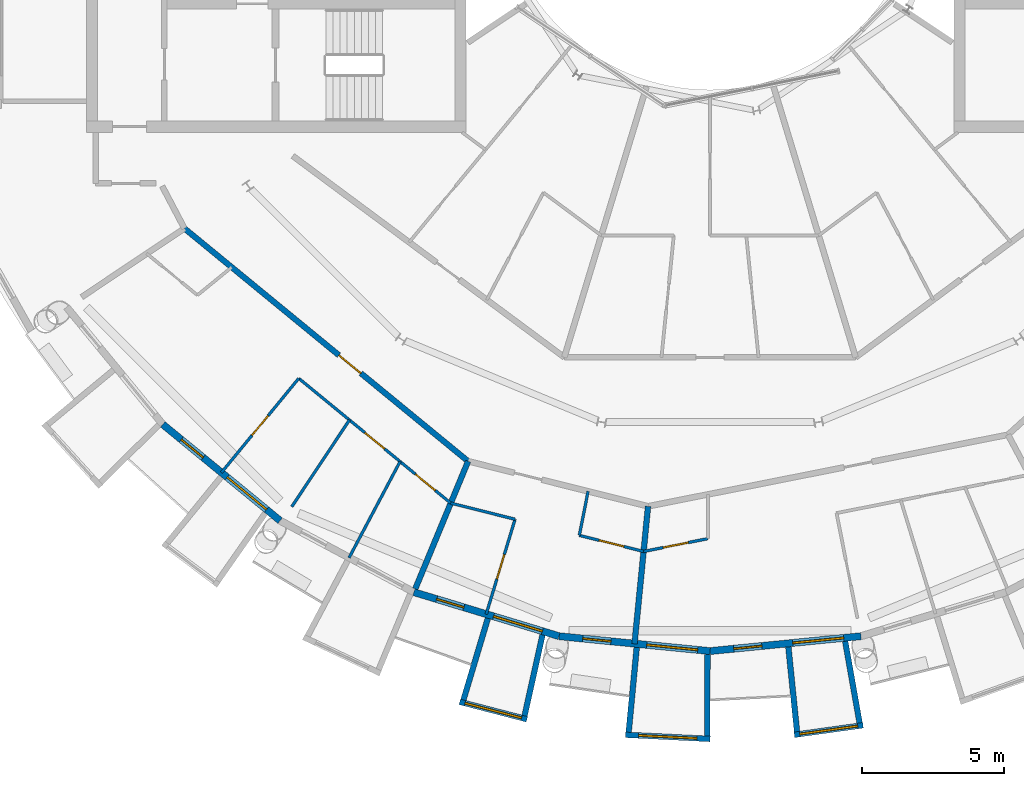
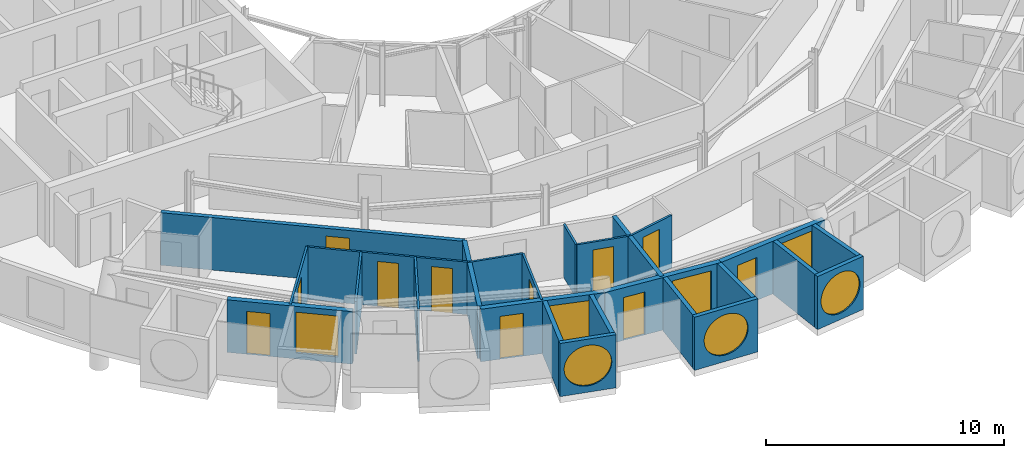
# One storey, part 15 of 28: 25 walls, 11 doors, 7 windows, 18 openings.
"""IFC4 building model written with IfcOpenShell, lengths in metres."""

from ifc_helpers import new_model, si_unit, direction, frame, frame_2d, origin, place, context, subcontext, project, spatial, rectangle, circle, extrude, material, layer, layer_set, type_object, element, fill, save


model = new_model("IFC4")

# Units and contexts
model_context = context("Model", 3, precision=1e-05, world=origin(), true_north=direction((0.0, 1.0)))
body_context = subcontext(model_context, "Body", "Model", "MODEL_VIEW")
ifc_project = project(units=[si_unit("LENGTHUNIT", "METRE"), si_unit("AREAUNIT", "SQUARE_METRE"), si_unit("VOLUMEUNIT", "CUBIC_METRE"), si_unit("PLANEANGLEUNIT", "RADIAN"), si_unit("MASSUNIT", "GRAM", prefix="KILO")], contexts=[model_context])

# Site, building, storey
site_placement = place(None, origin())
site = spatial("IfcSite", under=ifc_project, at=site_placement, CompositionType="ELEMENT")
building_placement = place(site_placement, origin())
building = spatial("IfcBuilding", under=site, at=building_placement, Name="Maasbend Ring Residences", CompositionType="ELEMENT")
storey_placement = place(building_placement, frame((0.0, 0.0, 231.0)))
storey = spatial("IfcBuildingStorey", under=building, at=storey_placement, Name="L66", CompositionType="ELEMENT", Elevation=231.0)

# Wall, opening, door
ifc_material_1 = material(Name="Concrete C30/37", Category="concrete")
ifc_layer_1 = layer(ifc_material_1, 0.199951171875)
ifc_layer_set_1 = layer_set([ifc_layer_1], Name="Concrete C30/37")
wall_type_1 = type_object("IfcWallType", Name="CORRIDOR WALL 200 CONCRETE", PredefinedType="PARTITIONING", material=ifc_layer_set_1)
wall_1_placement = place(storey_placement, frame((-18.5419921875, -12.388916015625, 0.0), z_axis=(0.0, 0.0, 1.0), x_axis=(0.772983503654, -0.634426121056, 0.0)))
wall_1 = element("IfcWall", 1, at=wall_1_placement, inside=storey, type_object=wall_type_1, Name="U-L66-w015", PredefinedType="PARTITIONING", context=body_context, shape_type="SweptSolid", body=[
    extrude(rectangle(XDim=12.947265625, YDim=0.199951171875, at=frame_2d((6.4736328125, 0.0))), origin(), (0.0, 0.0, 1.0), 2.699951171875),
])
opening_1_placement = place(wall_1_placement, frame((7.052978515625, 0.0, 0.0)))
opening_1 = element("IfcOpeningElement", 2, at=opening_1_placement, cuts=wall_1, Name="Opening D-6627", PredefinedType="OPENING", context=body_context, shape_type="SweptSolid", body=[
    extrude(rectangle(XDim=1.0, YDim=2.300048828125, at=frame_2d((0.5, 1.14990234375))), frame((0.0, 0.10986328125, 0.0), z_axis=(0.0, -1.0, 0.0), x_axis=(1.0, 0.0, 0.0)), (0.0, 0.0, 1.0), 0.219970703125),
])
ifc_material_2 = material(Name="Timber, fire-rated, painted", Category="wood")
door_type_1 = type_object("IfcDoorType", Name="FLAT ENTRANCE DOOR 1000 X 2300 FIRE-RATED", OperationType="NOTDEFINED", PredefinedType="DOOR", material=ifc_material_2)
door_1_placement = place(opening_1_placement, origin())
door_1 = element("IfcDoor", 3, at=door_1_placement, inside=storey, type_object=door_type_1, Name="D-6627", OperationType="SINGLE_SWING_RIGHT", OverallHeight=2.300048828125, OverallWidth=1.0, PredefinedType="DOOR", context=body_context, shape_type="SweptSolid", body=[
    extrude(rectangle(XDim=1.0, YDim=2.300048828125, at=frame_2d((0.5, 1.14990234375))), frame((0.0, 0.02490234375, 0.0), z_axis=(0.0, -1.0, 0.0), x_axis=(1.0, 0.0, 0.0)), (0.0, 0.0, 1.0), 0.050048828125),
])
fill(opening_1, door_1)

# Wall, opening, window
ifc_material_3 = material(Name="Pale anodised aluminium panel", Category="aluminium")
ifc_layer_2 = layer(ifc_material_3, 0.199951171875)
ifc_layer_set_2 = layer_set([ifc_layer_2], Name="EW-BOX")
wall_type_2 = type_object("IfcWallType", Name="EW-BOX", PredefinedType="SOLIDWALL", material=ifc_layer_set_2)
wall_2_placement = place(storey_placement, frame((-8.8291015625, -29.090087890625, -0.030029296875), z_axis=(0.0, 0.0, 1.0), x_axis=(0.96789536872, -0.251353446784, 0.0)))
wall_2 = element("IfcWall", 4, at=wall_2_placement, inside=storey, type_object=wall_type_2, Name="Box front S08", PredefinedType="SOLIDWALL", context=body_context, shape_type="SweptSolid", body=[
    extrude(rectangle(XDim=2.44677734375, YDim=0.199951171875, at=frame_2d((1.223388671875, 0.0))), origin(), (0.0, 0.0, 1.0), 2.72998046875),
])
opening_2_placement = place(wall_2_placement, frame((0.182861328125, 0.0, 0.330078125)))
opening_2 = element("IfcOpeningElement", 5, at=opening_2_placement, cuts=wall_2, Name="Opening W-RD", PredefinedType="OPENING", context=body_context, shape_type="SweptSolid", body=[
    extrude(circle(Radius=1.0400390625, at=frame_2d((1.0400390625, 1.0400390625))), frame((0.0, 0.10986328125, 0.0), z_axis=(0.0, -1.0, 0.0), x_axis=(1.0, 0.0, 0.0)), (0.0, 0.0, 1.0), 0.219970703125),
])
ifc_material_4 = material(Name="Aluminium and clear glass", Category="aluminium")
window_type_1 = type_object("IfcWindowType", Name="W-RD", PartitioningType="SINGLE_PANEL", PredefinedType="WINDOW", material=ifc_material_4)
window_1_placement = place(opening_2_placement, origin())
window_1 = element("IfcWindow", 6, at=window_1_placement, inside=storey, type_object=window_type_1, Name="Round window S08", OverallHeight=2.080078125, OverallWidth=2.080078125, PartitioningType="SINGLE_PANEL", PredefinedType="WINDOW", context=body_context, shape_type="SweptSolid", body=[
    extrude(circle(Radius=1.0400390625, at=frame_2d((1.0400390625, 1.0400390625))), frame((0.0, 0.030029296875, 0.0), z_axis=(0.0, -1.0, 0.0), x_axis=(1.0, 0.0, 0.0)), (0.0, 0.0, 1.0), 0.06005859375),
])
fill(opening_2, window_1)

# Walls
wall_3_placement = place(storey_placement, frame((-7.8369140625, -26.14404296875, -0.030029296875), z_axis=(0.0, 0.0, 1.0), x_axis=(-0.287064767992, -0.957911174889, 0.0)))
element("IfcWall", 7, at=wall_3_placement, inside=storey, type_object=wall_type_2, Name="Box side wall S08 left", PredefinedType="SOLIDWALL", context=body_context, shape_type="SweptSolid", body=[
    extrude(rectangle(XDim=3.00634765625, YDim=0.199951171875, at=frame_2d((1.503173828125, 0.0))), origin(), (0.0, 0.0, 1.0), 2.72998046875),
])
wall_4_placement = place(storey_placement, frame((-5.908935546875, -26.72900390625, -0.030029296875), z_axis=(0.0, 0.0, 1.0), x_axis=(-0.216409053917, -0.976302781612, 0.0)))
element("IfcWall", 8, at=wall_4_placement, inside=storey, type_object=wall_type_2, Name="Box side wall S08 right", PredefinedType="SOLIDWALL", context=body_context, shape_type="SweptSolid", body=[
    extrude(rectangle(XDim=2.92529296875, YDim=0.199951171875, at=frame_2d((1.462646484375, 0.0))), origin(), (0.0, 0.0, 1.0), 2.72998046875),
])

# Wall, opening, window
wall_5_placement = place(storey_placement, frame((-2.985107421875, -30.2529296875, -0.030029296875), z_axis=(0.0, 0.0, 1.0), x_axis=(0.998794083011, -0.049095618353, 0.0)))
wall_5 = element("IfcWall", 9, at=wall_5_placement, inside=storey, type_object=wall_type_2, Name="Box front S10", PredefinedType="SOLIDWALL", context=body_context, shape_type="SweptSolid", body=[
    extrude(rectangle(XDim=2.99365234375, YDim=0.199951171875, at=frame_2d((1.496826171875, 0.0))), origin(), (0.0, 0.0, 1.0), 2.72998046875),
])
opening_3_placement = place(wall_5_placement, frame((0.45654296875, 0.0, 0.330078125)))
opening_3 = element("IfcOpeningElement", 10, at=opening_3_placement, cuts=wall_5, Name="Opening W-RD", PredefinedType="OPENING", context=body_context, shape_type="SweptSolid", body=[
    extrude(circle(Radius=1.0400390625, at=frame_2d((1.0400390625, 1.0400390625))), frame((0.0, 0.10986328125, 0.0), z_axis=(0.0, -1.0, 0.0), x_axis=(1.0, 0.0, 0.0)), (0.0, 0.0, 1.0), 0.219970703125),
])
window_2_placement = place(opening_3_placement, origin())
window_2 = element("IfcWindow", 11, at=window_2_placement, inside=storey, type_object=window_type_1, Name="Round window S10", OverallHeight=2.080078125, OverallWidth=2.080078125, PartitioningType="SINGLE_PANEL", PredefinedType="WINDOW", context=body_context, shape_type="SweptSolid", body=[
    extrude(circle(Radius=1.0400390625, at=frame_2d((1.0400390625, 1.0400390625))), frame((0.0, 0.030029296875, 0.0), z_axis=(0.0, -1.0, 0.0), x_axis=(1.0, 0.0, 0.0)), (0.0, 0.0, 1.0), 0.06005859375),
])
fill(opening_3, window_2)

# Walls
wall_6_placement = place(storey_placement, frame((-2.5859375, -27.1708984375, -0.030029296875), z_axis=(0.0, 0.0, 1.0), x_axis=(-0.094548432284, -0.995520262954, 0.0)))
element("IfcWall", 12, at=wall_6_placement, inside=storey, type_object=wall_type_2, Name="Box side wall S10 left", PredefinedType="SOLIDWALL", context=body_context, shape_type="SweptSolid", body=[
    extrude(rectangle(XDim=3.005615234375, YDim=0.199951171875, at=frame_2d((1.5029296875, 0.0))), origin(), (0.0, 0.0, 1.0), 2.72998046875),
])
wall_7_placement = place(storey_placement, frame((-0.090087890625, -27.4169921875, -0.030029296875), z_axis=(0.0, 0.0, 1.0), x_axis=(-0.00347308367, -0.999993968827, 0.0)))
element("IfcWall", 13, at=wall_7_placement, inside=storey, type_object=wall_type_2, Name="Box side wall S10 right", PredefinedType="SOLIDWALL", context=body_context, shape_type="SweptSolid", body=[
    extrude(rectangle(XDim=2.882080078125, YDim=0.199951171875, at=frame_2d((1.44091796875, 0.0))), origin(), (0.0, 0.0, 1.0), 2.72998046875),
])

# Wall, opening, window
wall_8_placement = place(storey_placement, frame((2.97607421875, -30.25390625, -0.030029296875), z_axis=(0.0, 0.0, 1.0), x_axis=(0.990462016113, 0.137786046596, 0.0)))
wall_8 = element("IfcWall", 14, at=wall_8_placement, inside=storey, type_object=wall_type_2, Name="Box front S12", PredefinedType="SOLIDWALL", context=body_context, shape_type="SweptSolid", body=[
    extrude(rectangle(XDim=2.4453125, YDim=0.199951171875, at=frame_2d((1.22265625, 0.0))), origin(), (0.0, 0.0, 1.0), 2.72998046875),
])
opening_4_placement = place(wall_8_placement, frame((0.182861328125, 0.0, 0.330078125)))
opening_4 = element("IfcOpeningElement", 15, at=opening_4_placement, cuts=wall_8, Name="Opening W-RD", PredefinedType="OPENING", context=body_context, shape_type="SweptSolid", body=[
    extrude(circle(Radius=1.0400390625, at=frame_2d((1.0400390625, 1.0400390625))), frame((0.0, 0.10986328125, 0.0), z_axis=(0.0, -1.0, 0.0), x_axis=(1.0, 0.0, 0.0)), (0.0, 0.0, 1.0), 0.219970703125),
])
window_3_placement = place(opening_4_placement, origin())
window_3 = element("IfcWindow", 16, at=window_3_placement, inside=storey, type_object=window_type_1, Name="Round window S12", OverallHeight=2.080078125, OverallWidth=2.080078125, PartitioningType="SINGLE_PANEL", PredefinedType="WINDOW", context=body_context, shape_type="SweptSolid", body=[
    extrude(circle(Radius=1.0400390625, at=frame_2d((1.0400390625, 1.0400390625))), frame((0.0, 0.030029296875, 0.0), z_axis=(0.0, -1.0, 0.0), x_axis=(1.0, 0.0, 0.0)), (0.0, 0.0, 1.0), 0.06005859375),
])
fill(opening_4, window_3)

# Walls
wall_9_placement = place(storey_placement, frame((2.763916015625, -27.153076171875, -0.030029296875), z_axis=(0.0, 0.0, 1.0), x_axis=(0.101505487237, -0.994834979311, 0.0)))
element("IfcWall", 17, at=wall_9_placement, inside=storey, type_object=wall_type_2, Name="Box side wall S12 left", PredefinedType="SOLIDWALL", context=body_context, shape_type="SweptSolid", body=[
    extrude(rectangle(XDim=3.006591796875, YDim=0.199951171875, at=frame_2d((1.50341796875, 0.0))), origin(), (0.0, 0.0, 1.0), 2.72998046875),
])
wall_10_placement = place(storey_placement, frame((4.76904296875, -26.9560546875, -0.030029296875), z_axis=(0.0, 0.0, 1.0), x_axis=(0.174056778901, -0.984735618183, 0.0)))
element("IfcWall", 18, at=wall_10_placement, inside=storey, type_object=wall_type_2, Name="Box side wall S12 right", PredefinedType="SOLIDWALL", context=body_context, shape_type="SweptSolid", body=[
    extrude(rectangle(XDim=2.924560546875, YDim=0.199951171875, at=frame_2d((1.46240234375, 0.0))), origin(), (0.0, 0.0, 1.0), 2.72998046875),
])

# Wall, openings, door, window
ifc_material_5 = material(Name="Aluminium clad insulated panel", Category="aluminium")
ifc_layer_3 = layer(ifc_material_5, 0.25)
ifc_layer_set_3 = layer_set([ifc_layer_3], Name="EW-GL")
wall_type_3 = type_object("IfcWallType", Name="EW-GL", PredefinedType="SOLIDWALL", material=ifc_layer_set_3)
wall_11_placement = place(storey_placement, frame((-19.303955078125, -19.303955078125, 0.0), z_axis=(0.0, 0.0, 1.0), x_axis=(0.773019449054, -0.634382322723, 0.0)))
wall_11 = element("IfcWall", 19, at=wall_11_placement, inside=storey, type_object=wall_type_3, Name="External wall S02", PredefinedType="SOLIDWALL", context=body_context, shape_type="SweptSolid", body=[
    extrude(rectangle(XDim=5.351806640625, YDim=0.25, at=frame_2d((2.67578125, 0.0))), origin(), (0.0, 0.0, 1.0), 2.699951171875),
])
opening_5_placement = place(wall_11_placement, frame((0.841064453125, 0.0, 0.0)))
opening_5 = element("IfcOpeningElement", 20, at=opening_5_placement, cuts=wall_11, Name="Opening D-LG", PredefinedType="OPENING", context=body_context, shape_type="SweptSolid", body=[
    extrude(rectangle(XDim=1.0, YDim=2.199951171875, at=frame_2d((0.5, 1.10009765625))), frame((0.0, 0.135009765625, 0.0), z_axis=(0.0, -1.0, 0.0), x_axis=(1.0, 0.0, 0.0)), (0.0, 0.0, 1.0), 0.27001953125),
])
opening_6_placement = place(wall_11_placement, frame((2.935791015625, 0.0, 0.300048828125)))
opening_6 = element("IfcOpeningElement", 21, at=opening_6_placement, cuts=wall_11, Name="Opening W-BX", PredefinedType="OPENING", context=body_context, shape_type="SweptSolid", body=[
    extrude(rectangle(XDim=1.800048828125, YDim=2.10009765625, at=frame_2d((0.89990234375, 1.050048828125))), frame((0.0, 0.135009765625, 0.0), z_axis=(0.0, -1.0, 0.0), x_axis=(1.0, 0.0, 0.0)), (0.0, 0.0, 1.0), 0.27001953125),
])
ifc_material_6 = material(Name="Aluminium and clear glass", Category="aluminium")
door_type_2 = type_object("IfcDoorType", Name="D-LG", OperationType="SINGLE_SWING_LEFT", PredefinedType="DOOR", material=ifc_material_6)
door_2_placement = place(opening_5_placement, origin())
door_2 = element("IfcDoor", 22, at=door_2_placement, inside=storey, type_object=door_type_2, Name="Loggia door S03", OperationType="SINGLE_SWING_LEFT", OverallHeight=2.199951171875, OverallWidth=1.0, PredefinedType="DOOR", context=body_context, shape_type="SweptSolid", body=[
    extrude(rectangle(XDim=1.0, YDim=2.199951171875, at=frame_2d((0.5, 1.10009765625))), frame((0.0, 0.02490234375, 0.0), z_axis=(0.0, -1.0, 0.0), x_axis=(1.0, 0.0, 0.0)), (0.0, 0.0, 1.0), 0.050048828125),
])
fill(opening_5, door_2)
ifc_material_7 = material(Name="Aluminium and clear glass", Category="aluminium")
window_type_2 = type_object("IfcWindowType", Name="W-BX", PartitioningType="DOUBLE_PANEL_VERTICAL", PredefinedType="WINDOW", material=ifc_material_7)
window_4_placement = place(opening_6_placement, origin())
window_4 = element("IfcWindow", 23, at=window_4_placement, inside=storey, type_object=window_type_2, Name="Window S04 room to box", OverallHeight=2.10009765625, OverallWidth=1.800048828125, PartitioningType="SINGLE_PANEL", PredefinedType="WINDOW", context=body_context, shape_type="SweptSolid", body=[
    extrude(rectangle(XDim=1.800048828125, YDim=2.10009765625, at=frame_2d((0.89990234375, 1.050048828125))), frame((0.0, 0.030029296875, 0.0), z_axis=(0.0, -1.0, 0.0), x_axis=(1.0, 0.0, 0.0)), (0.0, 0.0, 1.0), 0.06005859375),
])
fill(opening_6, window_4)

wall_12_placement = place(storey_placement, frame((-10.447021484375, -25.221923828125, 0.0), z_axis=(0.0, 0.0, 1.0), x_axis=(0.956965678721, -0.290201119486, 0.0)))
wall_12 = element("IfcWall", 24, at=wall_12_placement, inside=storey, type_object=wall_type_3, Name="External wall S04", PredefinedType="SOLIDWALL", context=body_context, shape_type="SweptSolid", body=[
    extrude(rectangle(XDim=5.351318359375, YDim=0.25, at=frame_2d((2.67578125, 0.0))), origin(), (0.0, 0.0, 1.0), 2.699951171875),
])
opening_7_placement = place(wall_12_placement, frame((0.841064453125, 0.0, 0.0)))
opening_7 = element("IfcOpeningElement", 25, at=opening_7_placement, cuts=wall_12, Name="Opening D-LG", PredefinedType="OPENING", context=body_context, shape_type="SweptSolid", body=[
    extrude(rectangle(XDim=1.0, YDim=2.199951171875, at=frame_2d((0.5, 1.10009765625))), frame((0.0, 0.135009765625, 0.0), z_axis=(0.0, -1.0, 0.0), x_axis=(1.0, 0.0, 0.0)), (0.0, 0.0, 1.0), 0.27001953125),
])
opening_8_placement = place(wall_12_placement, frame((2.935791015625, 0.0, 0.300048828125)))
opening_8 = element("IfcOpeningElement", 26, at=opening_8_placement, cuts=wall_12, Name="Opening W-BX", PredefinedType="OPENING", context=body_context, shape_type="SweptSolid", body=[
    extrude(rectangle(XDim=1.800048828125, YDim=2.10009765625, at=frame_2d((0.89990234375, 1.050048828125))), frame((0.0, 0.135009765625, 0.0), z_axis=(0.0, -1.0, 0.0), x_axis=(1.0, 0.0, 0.0)), (0.0, 0.0, 1.0), 0.27001953125),
])
door_3_placement = place(opening_7_placement, origin())
door_3 = element("IfcDoor", 27, at=door_3_placement, inside=storey, type_object=door_type_2, Name="Loggia door S07", OperationType="SINGLE_SWING_LEFT", OverallHeight=2.199951171875, OverallWidth=1.0, PredefinedType="DOOR", context=body_context, shape_type="SweptSolid", body=[
    extrude(rectangle(XDim=1.0, YDim=2.199951171875, at=frame_2d((0.5, 1.10009765625))), frame((0.0, 0.02490234375, 0.0), z_axis=(0.0, -1.0, 0.0), x_axis=(1.0, 0.0, 0.0)), (0.0, 0.0, 1.0), 0.050048828125),
])
fill(opening_7, door_3)
window_5_placement = place(opening_8_placement, origin())
window_5 = element("IfcWindow", 28, at=window_5_placement, inside=storey, type_object=window_type_2, Name="Window S08 room to box", OverallHeight=2.10009765625, OverallWidth=1.800048828125, PartitioningType="SINGLE_PANEL", PredefinedType="WINDOW", context=body_context, shape_type="SweptSolid", body=[
    extrude(rectangle(XDim=1.800048828125, YDim=2.10009765625, at=frame_2d((0.89990234375, 1.050048828125))), frame((0.0, 0.030029296875, 0.0), z_axis=(0.0, -1.0, 0.0), x_axis=(1.0, 0.0, 0.0)), (0.0, 0.0, 1.0), 0.06005859375),
])
fill(opening_8, window_5)

wall_13_placement = place(storey_placement, frame((-5.325927734375, -26.77490234375, 0.0), z_axis=(0.0, 0.0, 1.0), x_axis=(0.995173996315, -0.098126026407, 0.0)))
wall_13 = element("IfcWall", 29, at=wall_13_placement, inside=storey, type_object=wall_type_3, Name="External wall S05", PredefinedType="SOLIDWALL", context=body_context, shape_type="SweptSolid", body=[
    extrude(rectangle(XDim=5.351806640625, YDim=0.25, at=frame_2d((2.67578125, 0.0))), origin(), (0.0, 0.0, 1.0), 2.699951171875),
])
opening_9_placement = place(wall_13_placement, frame((0.841064453125, 0.0, 0.0)))
opening_9 = element("IfcOpeningElement", 30, at=opening_9_placement, cuts=wall_13, Name="Opening D-LG", PredefinedType="OPENING", context=body_context, shape_type="SweptSolid", body=[
    extrude(rectangle(XDim=1.0, YDim=2.199951171875, at=frame_2d((0.5, 1.10009765625))), frame((0.0, 0.135009765625, 0.0), z_axis=(0.0, -1.0, 0.0), x_axis=(1.0, 0.0, 0.0)), (0.0, 0.0, 1.0), 0.27001953125),
])
opening_10_placement = place(wall_13_placement, frame((3.110595703125, 0.0, 0.300048828125)))
opening_10 = element("IfcOpeningElement", 31, at=opening_10_placement, cuts=wall_13, Name="Opening W-BX", PredefinedType="OPENING", context=body_context, shape_type="SweptSolid", body=[
    extrude(rectangle(XDim=1.800048828125, YDim=2.10009765625, at=frame_2d((0.89990234375, 1.050048828125))), frame((0.0, 0.135009765625, 0.0), z_axis=(0.0, -1.0, 0.0), x_axis=(1.0, 0.0, 0.0)), (0.0, 0.0, 1.0), 0.27001953125),
])
door_4_placement = place(opening_9_placement, origin())
door_4 = element("IfcDoor", 32, at=door_4_placement, inside=storey, type_object=door_type_2, Name="Loggia door S09", OperationType="SINGLE_SWING_LEFT", OverallHeight=2.199951171875, OverallWidth=1.0, PredefinedType="DOOR", context=body_context, shape_type="SweptSolid", body=[
    extrude(rectangle(XDim=1.0, YDim=2.199951171875, at=frame_2d((0.5, 1.10009765625))), frame((0.0, 0.02490234375, 0.0), z_axis=(0.0, -1.0, 0.0), x_axis=(1.0, 0.0, 0.0)), (0.0, 0.0, 1.0), 0.050048828125),
])
fill(opening_9, door_4)
window_6_placement = place(opening_10_placement, origin())
window_6 = element("IfcWindow", 33, at=window_6_placement, inside=storey, type_object=window_type_2, Name="Window S10 room to box", OverallHeight=2.10009765625, OverallWidth=1.800048828125, PartitioningType="SINGLE_PANEL", PredefinedType="WINDOW", context=body_context, shape_type="SweptSolid", body=[
    extrude(rectangle(XDim=1.800048828125, YDim=2.10009765625, at=frame_2d((0.89990234375, 1.050048828125))), frame((0.0, 0.030029296875, 0.0), z_axis=(0.0, -1.0, 0.0), x_axis=(1.0, 0.0, 0.0)), (0.0, 0.0, 1.0), 0.06005859375),
])
fill(opening_10, window_6)

wall_14_placement = place(storey_placement, frame((0.0, -27.300048828125, 0.0), z_axis=(0.0, 0.0, 1.0), x_axis=(0.995173996315, 0.098126026407, 0.0)))
wall_14 = element("IfcWall", 34, at=wall_14_placement, inside=storey, type_object=wall_type_3, Name="External wall S06", PredefinedType="SOLIDWALL", context=body_context, shape_type="SweptSolid", body=[
    extrude(rectangle(XDim=5.351806640625, YDim=0.25, at=frame_2d((2.67578125, 0.0))), origin(), (0.0, 0.0, 1.0), 2.699951171875),
])
opening_11_placement = place(wall_14_placement, frame((0.841064453125, 0.0, 0.0)))
opening_11 = element("IfcOpeningElement", 35, at=opening_11_placement, cuts=wall_14, Name="Opening D-LG", PredefinedType="OPENING", context=body_context, shape_type="SweptSolid", body=[
    extrude(rectangle(XDim=1.0, YDim=2.199951171875, at=frame_2d((0.5, 1.10009765625))), frame((0.0, 0.135009765625, 0.0), z_axis=(0.0, -1.0, 0.0), x_axis=(1.0, 0.0, 0.0)), (0.0, 0.0, 1.0), 0.27001953125),
])
opening_12_placement = place(wall_14_placement, frame((2.935791015625, 0.0, 0.300048828125)))
opening_12 = element("IfcOpeningElement", 36, at=opening_12_placement, cuts=wall_14, Name="Opening W-BX", PredefinedType="OPENING", context=body_context, shape_type="SweptSolid", body=[
    extrude(rectangle(XDim=1.800048828125, YDim=2.10009765625, at=frame_2d((0.89990234375, 1.050048828125))), frame((0.0, 0.135009765625, 0.0), z_axis=(0.0, -1.0, 0.0), x_axis=(1.0, 0.0, 0.0)), (0.0, 0.0, 1.0), 0.27001953125),
])
door_5_placement = place(opening_11_placement, origin())
door_5 = element("IfcDoor", 37, at=door_5_placement, inside=storey, type_object=door_type_2, Name="Loggia door S11", OperationType="SINGLE_SWING_LEFT", OverallHeight=2.199951171875, OverallWidth=1.0, PredefinedType="DOOR", context=body_context, shape_type="SweptSolid", body=[
    extrude(rectangle(XDim=1.0, YDim=2.199951171875, at=frame_2d((0.5, 1.10009765625))), frame((0.0, 0.02490234375, 0.0), z_axis=(0.0, -1.0, 0.0), x_axis=(1.0, 0.0, 0.0)), (0.0, 0.0, 1.0), 0.050048828125),
])
fill(opening_11, door_5)
window_7_placement = place(opening_12_placement, origin())
window_7 = element("IfcWindow", 38, at=window_7_placement, inside=storey, type_object=window_type_2, Name="Window S12 room to box", OverallHeight=2.10009765625, OverallWidth=1.800048828125, PartitioningType="SINGLE_PANEL", PredefinedType="WINDOW", context=body_context, shape_type="SweptSolid", body=[
    extrude(rectangle(XDim=1.800048828125, YDim=2.10009765625, at=frame_2d((0.89990234375, 1.050048828125))), frame((0.0, 0.030029296875, 0.0), z_axis=(0.0, -1.0, 0.0), x_axis=(1.0, 0.0, 0.0)), (0.0, 0.0, 1.0), 0.06005859375),
])
fill(opening_12, window_7)

# Wall
ifc_material_8 = material(Name="Gypsum board on steel studs", Category="steel")
ifc_layer_4 = layer(ifc_material_8, 0.10009765625)
ifc_layer_set_4 = layer_set([ifc_layer_4], Name="PARTITION 100 GYPSUM")
wall_type_4 = type_object("IfcWallType", Name="PARTITION 100 GYPSUM", PredefinedType="PARTITIONING", material=ifc_layer_set_4)
wall_15_placement = place(storey_placement, frame((-9.14599609375, -22.0810546875, 0.0), z_axis=(0.0, 0.0, 1.0), x_axis=(0.9700564467, -0.242879579658, 0.0)))
element("IfcWall", 39, at=wall_15_placement, inside=storey, type_object=wall_type_4, Name="U-L66-w001", PredefinedType="PARTITIONING", context=body_context, shape_type="SweptSolid", body=[
    extrude(rectangle(XDim=2.338134765625, YDim=0.10009765625, at=frame_2d((1.1689453125, 0.0))), origin(), (0.0, 0.0, 1.0), 2.699951171875),
])

# Wall, opening, door
wall_16_placement = place(storey_placement, frame((-4.60791015625, -23.218017578125, 0.0), z_axis=(0.0, 0.0, 1.0), x_axis=(0.970124059177, -0.242609376996, 0.0)))
wall_16 = element("IfcWall", 40, at=wall_16_placement, inside=storey, type_object=wall_type_4, Name="U-L66-w002", PredefinedType="PARTITIONING", context=body_context, shape_type="SweptSolid", body=[
    extrude(rectangle(XDim=2.336669921875, YDim=0.10009765625, at=frame_2d((1.16845703125, 0.0))), origin(), (0.0, 0.0, 1.0), 2.699951171875),
])
opening_13_placement = place(wall_16_placement, frame((0.716064453125, 0.0, 0.0)))
opening_13 = element("IfcOpeningElement", 41, at=opening_13_placement, cuts=wall_16, Name="Opening D-6633", PredefinedType="OPENING", context=body_context, shape_type="SweptSolid", body=[
    extrude(rectangle(XDim=0.89990234375, YDim=2.300048828125, at=frame_2d((0.449951171875, 1.14990234375))), frame((0.0, 0.06005859375, 0.0), z_axis=(0.0, -1.0, 0.0), x_axis=(1.0, 0.0, 0.0)), (0.0, 0.0, 1.0), 0.1201171875),
])
ifc_material_9 = material(Name="Timber, painted", Category="wood")
door_type_3 = type_object("IfcDoorType", Name="INTERNAL DOOR 900 X 2300", OperationType="NOTDEFINED", PredefinedType="DOOR", material=ifc_material_9)
door_6_placement = place(opening_13_placement, origin())
door_6 = element("IfcDoor", 42, at=door_6_placement, inside=storey, type_object=door_type_3, Name="D-6633", OperationType="SINGLE_SWING_LEFT", OverallHeight=2.300048828125, OverallWidth=0.89990234375, PredefinedType="DOOR", context=body_context, shape_type="SweptSolid", body=[
    extrude(rectangle(XDim=0.89990234375, YDim=2.300048828125, at=frame_2d((0.449951171875, 1.14990234375))), frame((0.0, 0.02490234375, 0.0), z_axis=(0.0, -1.0, 0.0), x_axis=(1.0, 0.0, 0.0)), (0.0, 0.0, 1.0), 0.050048828125),
])
fill(opening_13, door_6)

# Wall, openings, doors
wall_17_placement = place(storey_placement, frame((-14.509033203125, -17.678955078125, 0.0), z_axis=(0.0, 0.0, 1.0), x_axis=(0.772956112865, -0.634459492469, 0.0)))
wall_17 = element("IfcWall", 43, at=wall_17_placement, inside=storey, type_object=wall_type_4, Name="U-L66-w006", PredefinedType="PARTITIONING", context=body_context, shape_type="SweptSolid", body=[
    extrude(rectangle(XDim=6.938232421875, YDim=0.10009765625, at=frame_2d((3.46923828125, 0.0))), origin(), (0.0, 0.0, 1.0), 2.699951171875),
])
opening_14_placement = place(wall_17_placement, frame((3.02001953125, 0.0, 0.0)))
opening_14 = element("IfcOpeningElement", 44, at=opening_14_placement, cuts=wall_17, Name="Opening D-6630", PredefinedType="OPENING", context=body_context, shape_type="SweptSolid", body=[
    extrude(rectangle(XDim=0.89990234375, YDim=2.300048828125, at=frame_2d((0.449951171875, 1.14990234375))), frame((0.0, 0.06005859375, 0.0), z_axis=(0.0, -1.0, 0.0), x_axis=(1.0, 0.0, 0.0)), (0.0, 0.0, 1.0), 0.1201171875),
])
opening_15_placement = place(wall_17_placement, frame((5.330078125, 0.0, 0.0)))
opening_15 = element("IfcOpeningElement", 45, at=opening_15_placement, cuts=wall_17, Name="Opening D-6631", PredefinedType="OPENING", context=body_context, shape_type="SweptSolid", body=[
    extrude(rectangle(XDim=0.89990234375, YDim=2.300048828125, at=frame_2d((0.449951171875, 1.14990234375))), frame((0.0, 0.06005859375, 0.0), z_axis=(0.0, -1.0, 0.0), x_axis=(1.0, 0.0, 0.0)), (0.0, 0.0, 1.0), 0.1201171875),
])
door_7_placement = place(opening_14_placement, origin())
door_7 = element("IfcDoor", 46, at=door_7_placement, inside=storey, type_object=door_type_3, Name="D-6630", OperationType="SINGLE_SWING_RIGHT", OverallHeight=2.300048828125, OverallWidth=0.89990234375, PredefinedType="DOOR", context=body_context, shape_type="SweptSolid", body=[
    extrude(rectangle(XDim=0.89990234375, YDim=2.300048828125, at=frame_2d((0.449951171875, 1.14990234375))), frame((0.0, 0.02490234375, 0.0), z_axis=(0.0, -1.0, 0.0), x_axis=(1.0, 0.0, 0.0)), (0.0, 0.0, 1.0), 0.050048828125),
])
fill(opening_14, door_7)
door_8_placement = place(opening_15_placement, origin())
door_8 = element("IfcDoor", 47, at=door_8_placement, inside=storey, type_object=door_type_3, Name="D-6631", OperationType="SINGLE_SWING_RIGHT", OverallHeight=2.300048828125, OverallWidth=0.89990234375, PredefinedType="DOOR", context=body_context, shape_type="SweptSolid", body=[
    extrude(rectangle(XDim=0.89990234375, YDim=2.300048828125, at=frame_2d((0.449951171875, 1.14990234375))), frame((0.0, 0.02490234375, 0.0), z_axis=(0.0, -1.0, 0.0), x_axis=(1.0, 0.0, 0.0)), (0.0, 0.0, 1.0), 0.050048828125),
])
fill(opening_15, door_8)

# Wall, opening, door
wall_18_placement = place(storey_placement, frame((-2.343017578125, -23.784912109375, 0.0), z_axis=(0.0, 0.0, 1.0), x_axis=(0.98081942231, 0.194918600496, 0.0)))
wall_18 = element("IfcWall", 48, at=wall_18_placement, inside=storey, type_object=wall_type_4, Name="U-L66-w007", PredefinedType="PARTITIONING", context=body_context, shape_type="SweptSolid", body=[
    extrude(rectangle(XDim=2.3134765625, YDim=0.10009765625, at=frame_2d((1.15673828125, 0.0))), origin(), (0.0, 0.0, 1.0), 2.699951171875),
])
opening_16_placement = place(wall_18_placement, frame((0.70703125, 0.0, 0.0)))
opening_16 = element("IfcOpeningElement", 49, at=opening_16_placement, cuts=wall_18, Name="Opening D-6636", PredefinedType="OPENING", context=body_context, shape_type="SweptSolid", body=[
    extrude(rectangle(XDim=0.89990234375, YDim=2.300048828125, at=frame_2d((0.449951171875, 1.14990234375))), frame((0.0, 0.06005859375, 0.0), z_axis=(0.0, -1.0, 0.0), x_axis=(1.0, 0.0, 0.0)), (0.0, 0.0, 1.0), 0.1201171875),
])
door_9_placement = place(opening_16_placement, origin())
door_9 = element("IfcDoor", 50, at=door_9_placement, inside=storey, type_object=door_type_3, Name="D-6636", OperationType="SINGLE_SWING_LEFT", OverallHeight=2.300048828125, OverallWidth=0.89990234375, PredefinedType="DOOR", context=body_context, shape_type="SweptSolid", body=[
    extrude(rectangle(XDim=0.89990234375, YDim=2.300048828125, at=frame_2d((0.449951171875, 1.14990234375))), frame((0.0, 0.02490234375, 0.0), z_axis=(0.0, -1.0, 0.0), x_axis=(1.0, 0.0, 0.0)), (0.0, 0.0, 1.0), 0.050048828125),
])
fill(opening_16, door_9)

# Wall
wall_19_placement = place(storey_placement, frame((-14.75390625, -22.205078125, 0.0), z_axis=(0.0, 0.0, 1.0), x_axis=(0.553610409741, 0.832775788689, 0.0)))
element("IfcWall", 51, at=wall_19_placement, inside=storey, type_object=wall_type_4, Name="U-L66-w030", PredefinedType="PARTITIONING", context=body_context, shape_type="SweptSolid", body=[
    extrude(rectangle(XDim=3.672119140625, YDim=0.10009765625, at=frame_2d((1.8359375, 0.0))), origin(), (0.0, 0.0, 1.0), 2.699951171875),
])

# Wall, opening, door
wall_20_placement = place(storey_placement, frame((-17.239990234375, -21.007080078125, 0.0), z_axis=(0.0, 0.0, 1.0), x_axis=(0.634342681687, 0.77305197897, 0.0)))
wall_20 = element("IfcWall", 52, at=wall_20_placement, inside=storey, type_object=wall_type_4, Name="U-L66-w036", PredefinedType="PARTITIONING", context=body_context, shape_type="SweptSolid", body=[
    extrude(rectangle(XDim=4.30517578125, YDim=0.10009765625, at=frame_2d((2.152587890625, 0.0))), origin(), (0.0, 0.0, 1.0), 2.699951171875),
])
opening_17_placement = place(wall_20_placement, frame((1.702880859375, 0.0, 0.0)))
opening_17 = element("IfcOpeningElement", 53, at=opening_17_placement, cuts=wall_20, Name="Opening D-6629", PredefinedType="OPENING", context=body_context, shape_type="SweptSolid", body=[
    extrude(rectangle(XDim=0.89990234375, YDim=2.300048828125, at=frame_2d((0.449951171875, 1.14990234375))), frame((0.0, 0.06005859375, 0.0), z_axis=(0.0, -1.0, 0.0), x_axis=(1.0, 0.0, 0.0)), (0.0, 0.0, 1.0), 0.1201171875),
])
door_10_placement = place(opening_17_placement, origin())
door_10 = element("IfcDoor", 54, at=door_10_placement, inside=storey, type_object=door_type_3, Name="D-6629", OperationType="SINGLE_SWING_LEFT", OverallHeight=2.300048828125, OverallWidth=0.89990234375, PredefinedType="DOOR", context=body_context, shape_type="SweptSolid", body=[
    extrude(rectangle(XDim=0.89990234375, YDim=2.300048828125, at=frame_2d((0.449951171875, 1.14990234375))), frame((0.0, 0.02490234375, 0.0), z_axis=(0.0, -1.0, 0.0), x_axis=(1.0, 0.0, 0.0)), (0.0, 0.0, 1.0), 0.050048828125),
])
fill(opening_17, door_10)

# Wall
wall_21_placement = place(storey_placement, frame((-12.73388671875, -24.007080078125, 0.0), z_axis=(0.0, 0.0, 1.0), x_axis=(0.468594334564, 0.883413464701, 0.0)))
element("IfcWall", 55, at=wall_21_placement, inside=storey, type_object=wall_type_4, Name="U-L66-w038", PredefinedType="PARTITIONING", context=body_context, shape_type="SweptSolid", body=[
    extrude(rectangle(XDim=3.8408203125, YDim=0.10009765625, at=frame_2d((1.92041015625, 0.0))), origin(), (0.0, 0.0, 1.0), 2.699951171875),
])

# Wall, opening, door
wall_22_placement = place(storey_placement, frame((-7.89697265625, -26.001953125, 0.0), z_axis=(0.0, 0.0, 1.0), x_axis=(0.290784578865, 0.956788549625, 0.0)))
wall_22 = element("IfcWall", 56, at=wall_22_placement, inside=storey, type_object=wall_type_4, Name="U-L66-w044", PredefinedType="PARTITIONING", context=body_context, shape_type="SweptSolid", body=[
    extrude(rectangle(XDim=3.50439453125, YDim=0.10009765625, at=frame_2d((1.752197265625, 0.0))), origin(), (0.0, 0.0, 1.0), 2.699951171875),
])
opening_18_placement = place(wall_22_placement, frame((1.302001953125, 0.0, 0.0)))
opening_18 = element("IfcOpeningElement", 57, at=opening_18_placement, cuts=wall_22, Name="Opening D-6634", PredefinedType="OPENING", context=body_context, shape_type="SweptSolid", body=[
    extrude(rectangle(XDim=0.89990234375, YDim=2.300048828125, at=frame_2d((0.449951171875, 1.14990234375))), frame((0.0, 0.06005859375, 0.0), z_axis=(0.0, -1.0, 0.0), x_axis=(1.0, 0.0, 0.0)), (0.0, 0.0, 1.0), 0.1201171875),
])
door_11_placement = place(opening_18_placement, origin())
door_11 = element("IfcDoor", 58, at=door_11_placement, inside=storey, type_object=door_type_3, Name="D-6634", OperationType="SINGLE_SWING_RIGHT", OverallHeight=2.300048828125, OverallWidth=0.89990234375, PredefinedType="DOOR", context=body_context, shape_type="SweptSolid", body=[
    extrude(rectangle(XDim=0.89990234375, YDim=2.300048828125, at=frame_2d((0.449951171875, 1.14990234375))), frame((0.0, 0.02490234375, 0.0), z_axis=(0.0, -1.0, 0.0), x_axis=(1.0, 0.0, 0.0)), (0.0, 0.0, 1.0), 0.050048828125),
])
fill(opening_18, door_11)

# Walls
wall_23_placement = place(storey_placement, frame((-4.610107421875, -23.217041015625, 0.0), z_axis=(0.0, 0.0, 1.0), x_axis=(0.194485862594, 0.980905321247, 0.0)))
element("IfcWall", 59, at=wall_23_placement, inside=storey, type_object=wall_type_4, Name="U-L66-w082", PredefinedType="PARTITIONING", context=body_context, shape_type="SweptSolid", body=[
    extrude(rectangle(XDim=1.584228515625, YDim=0.10009765625, at=frame_2d((0.7919921875, 0.0))), origin(), (0.0, 0.0, 1.0), 2.699951171875),
])
ifc_material_10 = material(Name="Concrete C30/37", Category="concrete")
ifc_layer_5 = layer(ifc_material_10, 0.199951171875)
ifc_layer_set_5 = layer_set([ifc_layer_5], Name="Concrete C30/37")
wall_type_5 = type_object("IfcWallType", Name="PARTY WALL 200 CONCRETE", PredefinedType="PARTITIONING", material=ifc_layer_set_5)
wall_24_placement = place(storey_placement, frame((-10.39892578125, -25.10595703125, 0.0), z_axis=(0.0, 0.0, 1.0), x_axis=(0.382651153718, 0.923892902104, 0.0)))
element("IfcWall", 60, at=wall_24_placement, inside=storey, type_object=wall_type_5, Name="U-L66-w041", PredefinedType="PARTITIONING", context=body_context, shape_type="SweptSolid", body=[
    extrude(rectangle(XDim=4.873779296875, YDim=0.199951171875, at=frame_2d((2.43701171875, 0.0))), origin(), (0.0, 0.0, 1.0), 2.699951171875),
])
wall_25_placement = place(storey_placement, frame((-2.6640625, -27.0439453125, 0.0), z_axis=(0.0, 0.0, 1.0), x_axis=(0.098070432075, 0.995179476453, 0.0)))
element("IfcWall", 61, at=wall_25_placement, inside=storey, type_object=wall_type_5, Name="U-L66-w050", PredefinedType="PARTITIONING", context=body_context, shape_type="SweptSolid", body=[
    extrude(rectangle(XDim=4.874267578125, YDim=0.199951171875, at=frame_2d((2.43701171875, 0.0))), origin(), (0.0, 0.0, 1.0), 2.699951171875),
])

save(model, "model.ifc")
